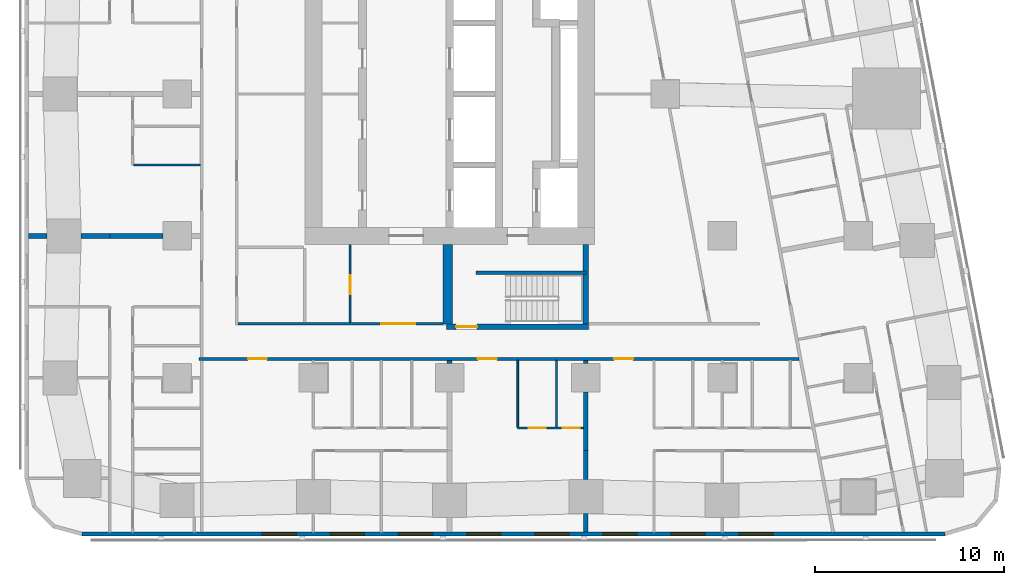
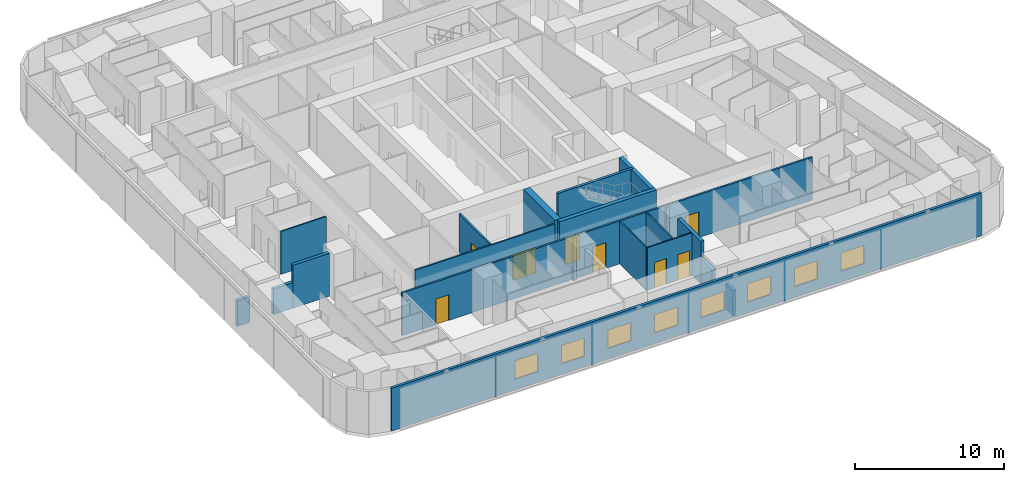
# One storey, part 3 of 15: 20 walls, 8 doors, 8 windows, 16 openings.
"""IFC4 building model written with IfcOpenShell, lengths in metres."""

import ifcopenshell
import ifcopenshell.guid

model = None  # the IFC model being written
_history = None  # IfcOwnerHistory: only IFC2X3 demands one
_inside = {}  # id of a spatial element -> (the spatial element, [elements in it])
_under = {}  # id of a project, library or spatial element -> (it, [spatial elements below it])
_declared = {}  # id of a project -> (the project, [libraries it declares])
_typed = {}  # id of a type object -> (the type object, [elements of that type])
_made_of = {}  # id of a material, layer set ... -> (it, [elements and type objects made of it])


def new_model(schema):
    """Start an empty IFC model of exactly this schema.

    Asked for "IFC4X3", IfcOpenShell would pick the latest addendum, in which some entities
    have other attributes; the version numbers below select the first issue.
    IFC2X3 requires an IfcOwnerHistory on every rooted entity: one is made here for all.
    """
    global model, _history
    if schema == "IFC4X3":
        model = ifcopenshell.file(schema_version=(4, 3, 0, 0))
    else:
        model = ifcopenshell.file(schema=schema)
    _inside.clear()
    _under.clear()
    _declared.clear()
    _typed.clear()
    _made_of.clear()
    _history = None
    if model.schema == "IFC2X3":
        org = make("IfcOrganization", Name="unknown")
        user = make(
            "IfcPersonAndOrganization",
            ThePerson=make("IfcPerson", FamilyName="unknown"),
            TheOrganization=org,
        )
        app = make(
            "IfcApplication",
            ApplicationDeveloper=org,
            Version="unknown",
            ApplicationFullName="unknown",
            ApplicationIdentifier="unknown",
        )
        _history = make(
            "IfcOwnerHistory",
            OwningUser=user,
            OwningApplication=app,
            ChangeAction="ADDED",
            CreationDate=0,
        )
    return model


def make(cls, **values):
    """One entity of the class cls with the attributes given. An attribute that is None is left unset."""
    return model.create_entity(
        cls, **{name: value for name, value in values.items() if value is not None}
    )


def rooted(cls, **values):
    """An entity with a GlobalId (a new one), such as an element, a storey or a relation."""
    return make(cls, GlobalId=ifcopenshell.guid.new(), OwnerHistory=_history, **values)


def si_unit(unit_type, name, prefix=None):
    """IfcSIUnit, for example si_unit("LENGTHUNIT", "METRE", prefix="MILLI")."""
    return make("IfcSIUnit", UnitType=unit_type, Prefix=prefix, Name=name)


def assignment(units):
    """IfcUnitAssignment: the units of a project."""
    return None if units is None else make("IfcUnitAssignment", Units=units)


def point(xyz):
    """IfcCartesianPoint."""
    return None if xyz is None else make("IfcCartesianPoint", Coordinates=xyz)


def direction(xyz):
    """IfcDirection."""
    return None if xyz is None else make("IfcDirection", DirectionRatios=xyz)


def frame(location, z_axis=None, x_axis=None):
    """IfcAxis2Placement3D, a coordinate frame: its origin and axes. An axis left out is left unset."""
    return make(
        "IfcAxis2Placement3D",
        Location=point(location),
        Axis=direction(z_axis),
        RefDirection=direction(x_axis),
    )


def frame_2d(location, x_axis=None):
    """IfcAxis2Placement2D, a coordinate frame in the plane: its origin and x axis."""
    return make(
        "IfcAxis2Placement2D", Location=point(location), RefDirection=direction(x_axis)
    )


def origin():
    """The frame at (0, 0, 0) with its axes left unset."""
    return frame((0.0, 0.0, 0.0))


def place(relative_to, where):
    """IfcLocalPlacement: puts the frame where relative to a parent placement (None: the world)."""
    return make(
        "IfcLocalPlacement", PlacementRelTo=relative_to, RelativePlacement=where
    )


def context(
    kind, dimensions, precision=None, world=None, true_north=None, identifier=None
):
    """IfcGeometricRepresentationContext, for example the 3D "Model" context."""
    return make(
        "IfcGeometricRepresentationContext",
        ContextIdentifier=identifier,
        ContextType=kind,
        CoordinateSpaceDimension=dimensions,
        Precision=precision,
        WorldCoordinateSystem=world,
        TrueNorth=true_north,
    )


def subcontext(parent, identifier, kind, view, scale=None):
    """IfcGeometricRepresentationSubContext, for example "Body" below "Model"."""
    return make(
        "IfcGeometricRepresentationSubContext",
        ContextIdentifier=identifier,
        ContextType=kind,
        ParentContext=parent,
        TargetScale=scale,
        TargetView=view,
    )


def project(units=None, contexts=None):
    """IfcProject with its units and contexts."""
    return rooted(
        "IfcProject",
        Name="project",
        RepresentationContexts=contexts,
        UnitsInContext=assignment(units),
    )


def spatial(cls, under=None, at=None, **own):
    """A site, building, storey or space (cls), placed at a placement, below another one or the project."""
    s = rooted(cls, ObjectPlacement=at, **own)
    if under is not None:
        _under.setdefault(under.id(), (under, []))[1].append(s)
    return s


def profile(cls, at=None, kind="AREA", **sizes):
    """A parametric profile (cls). Its sizes go by their IFC names, for example OverallWidth=200.0."""
    return make(cls, ProfileType=kind, Position=at, **sizes)


def rectangle(**sizes):
    """IfcRectangleProfileDef."""
    return profile("IfcRectangleProfileDef", **sizes)


def extrude(swept, where, along, depth):
    """IfcExtrudedAreaSolid: the profile swept, set in the frame where, extruded along a direction by depth."""
    return make(
        "IfcExtrudedAreaSolid",
        SweptArea=swept,
        Position=where,
        ExtrudedDirection=direction(along),
        Depth=depth,
    )


def shape(context_of_items, identifier, shape_type, items):
    """IfcShapeRepresentation: the items that make up one representation, for example the "Body"."""
    return make(
        "IfcShapeRepresentation",
        ContextOfItems=context_of_items,
        RepresentationIdentifier=identifier,
        RepresentationType=shape_type,
        Items=items,
    )


def material(Name=None, Category=None):
    """IfcMaterial."""
    return make("IfcMaterial", Name=Name, Category=Category)


def layer(
    of_material, thickness, ventilated=None, Name=None, Category=None, Priority=None
):
    """IfcMaterialLayer: one layer of a wall or slab, of a material (None: an air gap)."""
    return make(
        "IfcMaterialLayer",
        Material=of_material,
        LayerThickness=thickness,
        IsVentilated=ventilated,
        Name=Name,
        Category=Category,
        Priority=Priority,
    )


def layer_set(layers, Name=None):
    """IfcMaterialLayerSet."""
    return make("IfcMaterialLayerSet", MaterialLayers=layers, LayerSetName=Name)


def made_of(thing, what):
    """Note that an element or type object is made of a material, layer set ...; save() writes the relation."""
    if what is not None:
        _made_of.setdefault(what.id(), (what, []))[1].append(thing)
    return thing


def type_object(cls, material=None, **own):
    """A type object (cls), such as IfcWallType, which elements share."""
    return made_of(rooted(cls, **own), material)


def element(
    cls,
    number,
    at=None,
    inside=None,
    cuts=None,
    type_object=None,
    material=None,
    context=None,
    identifier="Body",
    shape_type=None,
    held_by="IfcProductDefinitionShape",
    body=None,
    shapes=None,
    **own,
):
    """One element of the class cls, such as IfcWall. Its Tag is "e" and its number.

    at: its placement. inside: the storey or other place that contains it. cuts: it is an
    opening in that element (IfcRelVoidsElement). A single representation is given by context,
    identifier, shape_type and body (its items); several are given by shapes. held_by: the class
    of the entity that holds the representations. save() writes the other relations.
    """
    e = rooted(cls, Tag="e%d" % number, ObjectPlacement=at, **own)
    if body is not None:
        shapes = [shape(context, identifier, shape_type, body)]
    if shapes is not None:
        e.Representation = make(held_by, Representations=shapes)
    if inside is not None:
        _inside.setdefault(inside.id(), (inside, []))[1].append(e)
    if cuts is not None:
        rooted(
            "IfcRelVoidsElement", RelatingBuildingElement=cuts, RelatedOpeningElement=e
        )
    if type_object is not None:
        _typed.setdefault(type_object.id(), (type_object, []))[1].append(e)
    return made_of(e, material)


def fill(opening, filler):
    """IfcRelFillsElement: the door or window that sits in an opening."""
    return rooted(
        "IfcRelFillsElement",
        RelatingOpeningElement=opening,
        RelatedBuildingElement=filler,
    )


def aggregate(whole, parts):
    """IfcRelAggregates: a whole, such as a stair, and the parts it consists of."""
    return rooted("IfcRelAggregates", RelatingObject=whole, RelatedObjects=parts)


def save(model, path):
    """Write the relations noted so far, then the file.

    IfcRelAggregates (storeys below a building ...), IfcRelContainedInSpatialStructure (elements
    in a storey), IfcRelDefinesByType, IfcRelAssociatesMaterial and IfcRelDeclares: one each for
    every whole, place, type object, material and project.
    """
    for whole, parts in _under.values():
        aggregate(whole, parts)
    for where, things in _inside.values():
        rooted(
            "IfcRelContainedInSpatialStructure",
            RelatedElements=things,
            RelatingStructure=where,
        )
    for kind, things in _typed.values():
        rooted("IfcRelDefinesByType", RelatedObjects=things, RelatingType=kind)
    for what, things in _made_of.values():
        rooted("IfcRelAssociatesMaterial", RelatedObjects=things, RelatingMaterial=what)
    for by, libraries in _declared.values():
        rooted("IfcRelDeclares", RelatingContext=by, RelatedDefinitions=libraries)
    model.write(path)


model = new_model("IFC4")

# Units and contexts
model_context = context("Model", 3, precision=1e-05, world=origin(), true_north=direction((0.0, 1.0)))
body_context = subcontext(model_context, "Body", "Model", "MODEL_VIEW")
ifc_project = project(units=[si_unit("LENGTHUNIT", "METRE"), si_unit("AREAUNIT", "SQUARE_METRE"), si_unit("VOLUMEUNIT", "CUBIC_METRE"), si_unit("PLANEANGLEUNIT", "RADIAN"), si_unit("MASSUNIT", "GRAM", prefix="KILO")], contexts=[model_context])

# Site, building, storey
site_placement = place(None, origin())
site = spatial("IfcSite", under=ifc_project, at=site_placement, CompositionType="ELEMENT")
building_placement = place(site_placement, origin())
building = spatial("IfcBuilding", under=site, at=building_placement, Name="Sheger Commons Tower", CompositionType="ELEMENT")
storey_placement = place(building_placement, frame((0.0, 0.0, 180.800048828125)))
storey = spatial("IfcBuildingStorey", under=building, at=storey_placement, Name="L46", CompositionType="ELEMENT", Elevation=180.800048828125)

# Wall, openings, doors
ifc_material_1 = material(Name="Hollow concrete block masonry, skimmed both sides", Category="masonry")
ifc_layer_1 = layer(ifc_material_1, 0.14990234375)
ifc_layer_set_1 = layer_set([ifc_layer_1], Name="CORRIDOR WALL 150")
wall_type_1 = type_object("IfcWallType", Name="CORRIDOR WALL 150", PredefinedType="SOLIDWALL", material=ifc_layer_set_1)
wall_1_placement = place(storey_placement, frame((40.052978515625, 8.5, 0.0), z_axis=(0.0, 0.0, 1.0), x_axis=(-1.0, 0.0, 0.0)))
wall_1 = element("IfcWall", 1, at=wall_1_placement, inside=storey, type_object=wall_type_1, Name="Corridor wall L46", PredefinedType="SOLIDWALL", context=body_context, shape_type="SweptSolid", body=[
    extrude(rectangle(XDim=31.702880859375, YDim=0.14990234375, at=frame_2d((15.8515625, 0.0))), origin(), (0.0, 0.0, 1.0), 3.5),
])
opening_1_placement = place(wall_1_placement, frame((28.10302734375, 0.0, 0.0)))
opening_1 = element("IfcOpeningElement", 2, at=opening_1_placement, cuts=wall_1, Name="Opening D1", PredefinedType="OPENING", context=body_context, shape_type="SweptSolid", body=[
    extrude(rectangle(XDim=1.0, YDim=2.10009765625, at=frame_2d((0.5, 1.050048828125))), frame((0.0, 0.0849609375, 0.0), z_axis=(0.0, -1.0, 0.0), x_axis=(1.0, 0.0, 0.0)), (0.0, 0.0, 1.0), 0.169921875),
])
opening_2_placement = place(wall_1_placement, frame((15.952880859375, 0.0, 0.0)))
opening_2 = element("IfcOpeningElement", 3, at=opening_2_placement, cuts=wall_1, Name="Opening D1", PredefinedType="OPENING", context=body_context, shape_type="SweptSolid", body=[
    extrude(rectangle(XDim=1.0, YDim=2.10009765625, at=frame_2d((0.5, 1.050048828125))), frame((0.0, 0.0849609375, 0.0), z_axis=(0.0, -1.0, 0.0), x_axis=(1.0, 0.0, 0.0)), (0.0, 0.0, 1.0), 0.169921875),
])
opening_3_placement = place(wall_1_placement, frame((8.7529296875, 0.0, 0.0)))
opening_3 = element("IfcOpeningElement", 4, at=opening_3_placement, cuts=wall_1, Name="Opening D1", PredefinedType="OPENING", context=body_context, shape_type="SweptSolid", body=[
    extrude(rectangle(XDim=1.0, YDim=2.10009765625, at=frame_2d((0.5, 1.050048828125))), frame((0.0, 0.0849609375, 0.0), z_axis=(0.0, -1.0, 0.0), x_axis=(1.0, 0.0, 0.0)), (0.0, 0.0, 1.0), 0.169921875),
])
ifc_material_2 = material(Name="Steel door set, fire rated", Category="steel")
door_type_1 = type_object("IfcDoorType", Name="FLAT ENTRANCE DOOR 1000x2100", OperationType="NOTDEFINED", PredefinedType="DOOR", material=ifc_material_2)
door_1_placement = place(opening_1_placement, origin())
door_1 = element("IfcDoor", 5, at=door_1_placement, inside=storey, type_object=door_type_1, Name="Flat entrance door", OperationType="SINGLE_SWING_RIGHT", OverallHeight=2.10009765625, OverallWidth=1.0, PredefinedType="DOOR", context=body_context, shape_type="SweptSolid", body=[
    extrude(rectangle(XDim=1.0, YDim=2.10009765625, at=frame_2d((0.5, 1.050048828125))), frame((0.0, 0.02490234375, 0.0), z_axis=(0.0, -1.0, 0.0), x_axis=(1.0, 0.0, 0.0)), (0.0, 0.0, 1.0), 0.050048828125),
])
fill(opening_1, door_1)
door_2_placement = place(opening_2_placement, origin())
door_2 = element("IfcDoor", 6, at=door_2_placement, inside=storey, type_object=door_type_1, Name="Flat entrance door", OperationType="SINGLE_SWING_LEFT", OverallHeight=2.10009765625, OverallWidth=1.0, PredefinedType="DOOR", context=body_context, shape_type="SweptSolid", body=[
    extrude(rectangle(XDim=1.0, YDim=2.10009765625, at=frame_2d((0.5, 1.050048828125))), frame((0.0, 0.02490234375, 0.0), z_axis=(0.0, -1.0, 0.0), x_axis=(1.0, 0.0, 0.0)), (0.0, 0.0, 1.0), 0.050048828125),
])
fill(opening_2, door_2)
door_3_placement = place(opening_3_placement, origin())
door_3 = element("IfcDoor", 7, at=door_3_placement, inside=storey, type_object=door_type_1, Name="Flat entrance door", OperationType="SINGLE_SWING_LEFT", OverallHeight=2.10009765625, OverallWidth=1.0, PredefinedType="DOOR", context=body_context, shape_type="SweptSolid", body=[
    extrude(rectangle(XDim=1.0, YDim=2.10009765625, at=frame_2d((0.5, 1.050048828125))), frame((0.0, 0.02490234375, 0.0), z_axis=(0.0, -1.0, 0.0), x_axis=(1.0, 0.0, 0.0)), (0.0, 0.0, 1.0), 0.050048828125),
])
fill(opening_3, door_3)

# Walls
ifc_material_3 = material(Name="Dense concrete block masonry, plastered both sides (separating wall between flats)", Category="masonry")
ifc_layer_2 = layer(ifc_material_3, 0.25)
ifc_layer_set_2 = layer_set([ifc_layer_2], Name="DEMISING WALL 250")
wall_type_2 = type_object("IfcWallType", Name="DEMISING WALL 250", PredefinedType="SOLIDWALL", material=ifc_layer_set_2)
wall_2_placement = place(storey_placement, frame((-0.64990234375, 15.0, 0.0), z_axis=(0.0, 0.0, 1.0), x_axis=(1.0, 0.0, 0.0)))
element("IfcWall", 8, at=wall_2_placement, inside=storey, type_object=wall_type_2, Name="Demising wall L46", PredefinedType="SOLIDWALL", context=body_context, shape_type="SweptSolid", body=[
    extrude(rectangle(XDim=0.973876953125, YDim=0.25, at=frame_2d((0.48681640625, 0.0))), origin(), (0.0, 0.0, 1.0), 2.099853515625),
])
wall_3_placement = place(storey_placement, frame((2.1259765625, 15.0, 0.0), z_axis=(0.0, 0.0, 1.0), x_axis=(1.0, 0.0, 0.0)))
element("IfcWall", 9, at=wall_3_placement, inside=storey, type_object=wall_type_2, Name="Demising wall L46", PredefinedType="SOLIDWALL", context=body_context, shape_type="SweptSolid", body=[
    extrude(rectangle(XDim=1.52392578125, YDim=0.25, at=frame_2d((0.761962890625, 0.0))), origin(), (0.0, 0.0, 1.0), 2.099853515625),
])
wall_4_placement = place(storey_placement, frame((3.64990234375, 15.0, 0.0), z_axis=(0.0, 0.0, 1.0), x_axis=(1.0, 0.0, 0.0)))
element("IfcWall", 10, at=wall_4_placement, inside=storey, type_object=wall_type_2, Name="Demising wall L46", PredefinedType="SOLIDWALL", context=body_context, shape_type="SweptSolid", body=[
    extrude(rectangle(XDim=2.799072265625, YDim=0.25, at=frame_2d((1.3994140625, 0.0))), origin(), (0.0, 0.0, 1.0), 3.5),
])
wall_5_placement = place(storey_placement, frame((21.60009765625, 8.2509765625, 0.0), z_axis=(0.0, 0.0, 1.0), x_axis=(0.0, 1.0, 0.0)))
element("IfcWall", 11, at=wall_5_placement, inside=storey, type_object=wall_type_2, Name="Demising wall L46", PredefinedType="SOLIDWALL", context=body_context, shape_type="SweptSolid", body=[
    extrude(rectangle(XDim=0.174072265625, YDim=0.25, at=frame_2d((0.0869140625, 0.0))), origin(), (0.0, 0.0, 1.0), 3.5),
])
wall_6_placement = place(storey_placement, frame((28.800048828125, -0.64990234375, 0.0), z_axis=(0.0, 0.0, 1.0), x_axis=(0.0, 1.0, 0.0)))
element("IfcWall", 12, at=wall_6_placement, inside=storey, type_object=wall_type_2, Name="Demising wall L46", PredefinedType="SOLIDWALL", context=body_context, shape_type="SweptSolid", body=[
    extrude(rectangle(XDim=0.973876953125, YDim=0.25, at=frame_2d((0.48681640625, 0.0))), origin(), (0.0, 0.0, 1.0), 2.099853515625),
])
wall_7_placement = place(storey_placement, frame((28.800048828125, 2.1259765625, 0.0), z_axis=(0.0, 0.0, 1.0), x_axis=(0.0, 1.0, 0.0)))
element("IfcWall", 13, at=wall_7_placement, inside=storey, type_object=wall_type_2, Name="Demising wall L46", PredefinedType="SOLIDWALL", context=body_context, shape_type="SweptSolid", body=[
    extrude(rectangle(XDim=1.52392578125, YDim=0.25, at=frame_2d((0.761962890625, 0.0))), origin(), (0.0, 0.0, 1.0), 2.099853515625),
])
wall_8_placement = place(storey_placement, frame((28.800048828125, 3.64990234375, 0.0), z_axis=(0.0, 0.0, 1.0), x_axis=(0.0, 1.0, 0.0)))
element("IfcWall", 14, at=wall_8_placement, inside=storey, type_object=wall_type_2, Name="Demising wall L46", PredefinedType="SOLIDWALL", context=body_context, shape_type="SweptSolid", body=[
    extrude(rectangle(XDim=3.09912109375, YDim=0.25, at=frame_2d((1.549560546875, 0.0))), origin(), (0.0, 0.0, 1.0), 3.5),
])
wall_9_placement = place(storey_placement, frame((28.800048828125, 8.2509765625, 0.0), z_axis=(0.0, 0.0, 1.0), x_axis=(0.0, 1.0, 0.0)))
element("IfcWall", 15, at=wall_9_placement, inside=storey, type_object=wall_type_2, Name="Demising wall L46", PredefinedType="SOLIDWALL", context=body_context, shape_type="SweptSolid", body=[
    extrude(rectangle(XDim=0.174072265625, YDim=0.25, at=frame_2d((0.0869140625, 0.0))), origin(), (0.0, 0.0, 1.0), 3.5),
])

# Wall, openings, windows
ifc_material_4 = material(Name="Rendered concrete block masonry, dark grey", Category="masonry")
ifc_layer_3 = layer(ifc_material_4, 0.199951171875)
ifc_layer_set_3 = layer_set([ifc_layer_3], Name="FACADE WALL 200")
wall_type_3 = type_object("IfcWallType", Name="FACADE WALL 200", PredefinedType="SOLIDWALL", material=ifc_layer_set_3)
wall_10_placement = place(storey_placement, frame((2.1630859375, -0.75, 0.0), z_axis=(0.0, 0.0, 1.0), x_axis=(1.0, 0.0, 0.0)))
wall_10 = element("IfcWall", 16, at=wall_10_placement, inside=storey, type_object=wall_type_3, Name="Facade wall L46", PredefinedType="SOLIDWALL", context=body_context, shape_type="SweptSolid", body=[
    extrude(rectangle(XDim=45.6279296875, YDim=0.199951171875, at=frame_2d((22.81396484375, 0.0))), origin(), (0.0, 0.0, 1.0), 3.5),
])
opening_4_placement = place(wall_10_placement, frame((9.537109375, 0.0, 0.89990234375)))
opening_4 = element("IfcOpeningElement", 17, at=opening_4_placement, cuts=wall_10, Name="Opening W2", PredefinedType="OPENING", context=body_context, shape_type="SweptSolid", body=[
    extrude(rectangle(XDim=1.800048828125, YDim=1.5, at=frame_2d((0.89990234375, 0.75))), frame((0.0, 0.10986328125, 0.0), z_axis=(0.0, -1.0, 0.0), x_axis=(1.0, 0.0, 0.0)), (0.0, 0.0, 1.0), 0.219970703125),
])
opening_5_placement = place(wall_10_placement, frame((13.136962890625, 0.0, 0.89990234375)))
opening_5 = element("IfcOpeningElement", 18, at=opening_5_placement, cuts=wall_10, Name="Opening W2", PredefinedType="OPENING", context=body_context, shape_type="SweptSolid", body=[
    extrude(rectangle(XDim=1.800048828125, YDim=1.5, at=frame_2d((0.89990234375, 0.75))), frame((0.0, 0.10986328125, 0.0), z_axis=(0.0, -1.0, 0.0), x_axis=(1.0, 0.0, 0.0)), (0.0, 0.0, 1.0), 0.219970703125),
])
opening_6_placement = place(wall_10_placement, frame((16.737060546875, 0.0, 0.89990234375)))
opening_6 = element("IfcOpeningElement", 19, at=opening_6_placement, cuts=wall_10, Name="Opening W2", PredefinedType="OPENING", context=body_context, shape_type="SweptSolid", body=[
    extrude(rectangle(XDim=1.800048828125, YDim=1.5, at=frame_2d((0.89990234375, 0.75))), frame((0.0, 0.10986328125, 0.0), z_axis=(0.0, -1.0, 0.0), x_axis=(1.0, 0.0, 0.0)), (0.0, 0.0, 1.0), 0.219970703125),
])
opening_7_placement = place(wall_10_placement, frame((20.3369140625, 0.0, 0.89990234375)))
opening_7 = element("IfcOpeningElement", 20, at=opening_7_placement, cuts=wall_10, Name="Opening W2", PredefinedType="OPENING", context=body_context, shape_type="SweptSolid", body=[
    extrude(rectangle(XDim=1.800048828125, YDim=1.5, at=frame_2d((0.89990234375, 0.75))), frame((0.0, 0.10986328125, 0.0), z_axis=(0.0, -1.0, 0.0), x_axis=(1.0, 0.0, 0.0)), (0.0, 0.0, 1.0), 0.219970703125),
])
opening_8_placement = place(wall_10_placement, frame((23.93701171875, 0.0, 0.89990234375)))
opening_8 = element("IfcOpeningElement", 21, at=opening_8_placement, cuts=wall_10, Name="Opening W2", PredefinedType="OPENING", context=body_context, shape_type="SweptSolid", body=[
    extrude(rectangle(XDim=1.800048828125, YDim=1.5, at=frame_2d((0.89990234375, 0.75))), frame((0.0, 0.10986328125, 0.0), z_axis=(0.0, -1.0, 0.0), x_axis=(1.0, 0.0, 0.0)), (0.0, 0.0, 1.0), 0.219970703125),
])
opening_9_placement = place(wall_10_placement, frame((27.537109375, 0.0, 0.89990234375)))
opening_9 = element("IfcOpeningElement", 22, at=opening_9_placement, cuts=wall_10, Name="Opening W2", PredefinedType="OPENING", context=body_context, shape_type="SweptSolid", body=[
    extrude(rectangle(XDim=1.800048828125, YDim=1.5, at=frame_2d((0.89990234375, 0.75))), frame((0.0, 0.10986328125, 0.0), z_axis=(0.0, -1.0, 0.0), x_axis=(1.0, 0.0, 0.0)), (0.0, 0.0, 1.0), 0.219970703125),
])
opening_10_placement = place(wall_10_placement, frame((31.136962890625, 0.0, 0.89990234375)))
opening_10 = element("IfcOpeningElement", 23, at=opening_10_placement, cuts=wall_10, Name="Opening W2", PredefinedType="OPENING", context=body_context, shape_type="SweptSolid", body=[
    extrude(rectangle(XDim=1.800048828125, YDim=1.5, at=frame_2d((0.89990234375, 0.75))), frame((0.0, 0.10986328125, 0.0), z_axis=(0.0, -1.0, 0.0), x_axis=(1.0, 0.0, 0.0)), (0.0, 0.0, 1.0), 0.219970703125),
])
opening_11_placement = place(wall_10_placement, frame((34.737060546875, 0.0, 0.89990234375)))
opening_11 = element("IfcOpeningElement", 24, at=opening_11_placement, cuts=wall_10, Name="Opening W2", PredefinedType="OPENING", context=body_context, shape_type="SweptSolid", body=[
    extrude(rectangle(XDim=1.800048828125, YDim=1.5, at=frame_2d((0.89990234375, 0.75))), frame((0.0, 0.10986328125, 0.0), z_axis=(0.0, -1.0, 0.0), x_axis=(1.0, 0.0, 0.0)), (0.0, 0.0, 1.0), 0.219970703125),
])
ifc_material_5 = material(Name="Black aluminium frame, dark tinted double glazing", Category="aluminium")
window_type = type_object("IfcWindowType", Name="WINDOW W2 1800x1500", PartitioningType="SINGLE_PANEL", PredefinedType="WINDOW", material=ifc_material_5)
window_1_placement = place(opening_4_placement, origin())
window_1 = element("IfcWindow", 25, at=window_1_placement, inside=storey, type_object=window_type, Name="Window W2 1800X1500", OverallHeight=1.5, OverallWidth=1.800048828125, PartitioningType="SINGLE_PANEL", PredefinedType="WINDOW", context=body_context, shape_type="SweptSolid", body=[
    extrude(rectangle(XDim=1.800048828125, YDim=1.5, at=frame_2d((0.89990234375, 0.75))), frame((0.0, 0.030029296875, 0.0), z_axis=(0.0, -1.0, 0.0), x_axis=(1.0, 0.0, 0.0)), (0.0, 0.0, 1.0), 0.06005859375),
])
fill(opening_4, window_1)
window_2_placement = place(opening_5_placement, origin())
window_2 = element("IfcWindow", 26, at=window_2_placement, inside=storey, type_object=window_type, Name="Window W2 1800X1500", OverallHeight=1.5, OverallWidth=1.800048828125, PartitioningType="SINGLE_PANEL", PredefinedType="WINDOW", context=body_context, shape_type="SweptSolid", body=[
    extrude(rectangle(XDim=1.800048828125, YDim=1.5, at=frame_2d((0.89990234375, 0.75))), frame((0.0, 0.030029296875, 0.0), z_axis=(0.0, -1.0, 0.0), x_axis=(1.0, 0.0, 0.0)), (0.0, 0.0, 1.0), 0.06005859375),
])
fill(opening_5, window_2)
window_3_placement = place(opening_6_placement, origin())
window_3 = element("IfcWindow", 27, at=window_3_placement, inside=storey, type_object=window_type, Name="Window W2 1800X1500", OverallHeight=1.5, OverallWidth=1.800048828125, PartitioningType="SINGLE_PANEL", PredefinedType="WINDOW", context=body_context, shape_type="SweptSolid", body=[
    extrude(rectangle(XDim=1.800048828125, YDim=1.5, at=frame_2d((0.89990234375, 0.75))), frame((0.0, 0.030029296875, 0.0), z_axis=(0.0, -1.0, 0.0), x_axis=(1.0, 0.0, 0.0)), (0.0, 0.0, 1.0), 0.06005859375),
])
fill(opening_6, window_3)
window_4_placement = place(opening_7_placement, origin())
window_4 = element("IfcWindow", 28, at=window_4_placement, inside=storey, type_object=window_type, Name="Window W2 1800X1500", OverallHeight=1.5, OverallWidth=1.800048828125, PartitioningType="SINGLE_PANEL", PredefinedType="WINDOW", context=body_context, shape_type="SweptSolid", body=[
    extrude(rectangle(XDim=1.800048828125, YDim=1.5, at=frame_2d((0.89990234375, 0.75))), frame((0.0, 0.030029296875, 0.0), z_axis=(0.0, -1.0, 0.0), x_axis=(1.0, 0.0, 0.0)), (0.0, 0.0, 1.0), 0.06005859375),
])
fill(opening_7, window_4)
window_5_placement = place(opening_8_placement, origin())
window_5 = element("IfcWindow", 29, at=window_5_placement, inside=storey, type_object=window_type, Name="Window W2 1800X1500", OverallHeight=1.5, OverallWidth=1.800048828125, PartitioningType="SINGLE_PANEL", PredefinedType="WINDOW", context=body_context, shape_type="SweptSolid", body=[
    extrude(rectangle(XDim=1.800048828125, YDim=1.5, at=frame_2d((0.89990234375, 0.75))), frame((0.0, 0.030029296875, 0.0), z_axis=(0.0, -1.0, 0.0), x_axis=(1.0, 0.0, 0.0)), (0.0, 0.0, 1.0), 0.06005859375),
])
fill(opening_8, window_5)
window_6_placement = place(opening_9_placement, origin())
window_6 = element("IfcWindow", 30, at=window_6_placement, inside=storey, type_object=window_type, Name="Window W2 1800X1500", OverallHeight=1.5, OverallWidth=1.800048828125, PartitioningType="SINGLE_PANEL", PredefinedType="WINDOW", context=body_context, shape_type="SweptSolid", body=[
    extrude(rectangle(XDim=1.800048828125, YDim=1.5, at=frame_2d((0.89990234375, 0.75))), frame((0.0, 0.030029296875, 0.0), z_axis=(0.0, -1.0, 0.0), x_axis=(1.0, 0.0, 0.0)), (0.0, 0.0, 1.0), 0.06005859375),
])
fill(opening_9, window_6)
window_7_placement = place(opening_10_placement, origin())
window_7 = element("IfcWindow", 31, at=window_7_placement, inside=storey, type_object=window_type, Name="Window W2 1800X1500", OverallHeight=1.5, OverallWidth=1.800048828125, PartitioningType="SINGLE_PANEL", PredefinedType="WINDOW", context=body_context, shape_type="SweptSolid", body=[
    extrude(rectangle(XDim=1.800048828125, YDim=1.5, at=frame_2d((0.89990234375, 0.75))), frame((0.0, 0.030029296875, 0.0), z_axis=(0.0, -1.0, 0.0), x_axis=(1.0, 0.0, 0.0)), (0.0, 0.0, 1.0), 0.06005859375),
])
fill(opening_10, window_7)
window_8_placement = place(opening_11_placement, origin())
window_8 = element("IfcWindow", 32, at=window_8_placement, inside=storey, type_object=window_type, Name="Window W2 1800X1500", OverallHeight=1.5, OverallWidth=1.800048828125, PartitioningType="SINGLE_PANEL", PredefinedType="WINDOW", context=body_context, shape_type="SweptSolid", body=[
    extrude(rectangle(XDim=1.800048828125, YDim=1.5, at=frame_2d((0.89990234375, 0.75))), frame((0.0, 0.030029296875, 0.0), z_axis=(0.0, -1.0, 0.0), x_axis=(1.0, 0.0, 0.0)), (0.0, 0.0, 1.0), 0.06005859375),
])
fill(opening_11, window_8)

# Wall
ifc_material_6 = material(Name="Gypsum board on steel studs", Category="steel")
ifc_layer_4 = layer(ifc_material_6, 0.10009765625)
ifc_layer_set_4 = layer_set([ifc_layer_4], Name="PARTITION 100")
wall_type_4 = type_object("IfcWallType", Name="PARTITION 100", PredefinedType="PARTITIONING", material=ifc_layer_set_4)
wall_11_placement = place(storey_placement, frame((4.89990234375, 18.75, 0.0), z_axis=(0.0, 0.0, 1.0), x_axis=(1.0, 0.0, 0.0)))
element("IfcWall", 33, at=wall_11_placement, inside=storey, type_object=wall_type_4, Name="Partition L46", PredefinedType="PARTITIONING", context=body_context, shape_type="SweptSolid", body=[
    extrude(rectangle(XDim=3.525146484375, YDim=0.10009765625, at=frame_2d((1.7626953125, 0.0))), origin(), (0.0, 0.0, 1.0), 3.5),
])

# Wall, openings, doors
wall_12_placement = place(storey_placement, frame((28.675048828125, 4.85009765625, 0.0), z_axis=(0.0, 0.0, 1.0), x_axis=(-1.0, 0.0, 0.0)))
wall_12 = element("IfcWall", 34, at=wall_12_placement, inside=storey, type_object=wall_type_4, Name="Partition L46", PredefinedType="PARTITIONING", context=body_context, shape_type="SweptSolid", body=[
    extrude(rectangle(XDim=3.47509765625, YDim=0.10009765625, at=frame_2d((1.737548828125, 0.0))), origin(), (0.0, 0.0, 1.0), 3.5),
])
opening_12_placement = place(wall_12_placement, frame((2.0, 0.0, 0.0)))
opening_12 = element("IfcOpeningElement", 35, at=opening_12_placement, cuts=wall_12, Name="Opening D2", PredefinedType="OPENING", context=body_context, shape_type="SweptSolid", body=[
    extrude(rectangle(XDim=0.89990234375, YDim=2.10009765625, at=frame_2d((0.449951171875, 1.050048828125))), frame((0.0, 0.06005859375, 0.0), z_axis=(0.0, -1.0, 0.0), x_axis=(1.0, 0.0, 0.0)), (0.0, 0.0, 1.0), 0.1201171875),
])
opening_13_placement = place(wall_12_placement, frame((0.199951171875, 0.0, 0.0)))
opening_13 = element("IfcOpeningElement", 36, at=opening_13_placement, cuts=wall_12, Name="Opening D2", PredefinedType="OPENING", context=body_context, shape_type="SweptSolid", body=[
    extrude(rectangle(XDim=0.89990234375, YDim=2.10009765625, at=frame_2d((0.449951171875, 1.050048828125))), frame((0.0, 0.06005859375, 0.0), z_axis=(0.0, -1.0, 0.0), x_axis=(1.0, 0.0, 0.0)), (0.0, 0.0, 1.0), 0.1201171875),
])
ifc_material_7 = material(Name="Timber door set", Category="wood")
door_type_2 = type_object("IfcDoorType", Name="INTERNAL DOOR 900x2100", OperationType="NOTDEFINED", PredefinedType="DOOR", material=ifc_material_7)
door_4_placement = place(opening_12_placement, origin())
door_4 = element("IfcDoor", 37, at=door_4_placement, inside=storey, type_object=door_type_2, Name="Bathroom door", OperationType="SINGLE_SWING_LEFT", OverallHeight=2.10009765625, OverallWidth=0.89990234375, PredefinedType="DOOR", context=body_context, shape_type="SweptSolid", body=[
    extrude(rectangle(XDim=0.89990234375, YDim=2.10009765625, at=frame_2d((0.449951171875, 1.050048828125))), frame((0.0, 0.02490234375, 0.0), z_axis=(0.0, -1.0, 0.0), x_axis=(1.0, 0.0, 0.0)), (0.0, 0.0, 1.0), 0.050048828125),
])
fill(opening_12, door_4)
door_5_placement = place(opening_13_placement, origin())
door_5 = element("IfcDoor", 38, at=door_5_placement, inside=storey, type_object=door_type_2, Name="Store door", OperationType="SINGLE_SWING_RIGHT", OverallHeight=2.10009765625, OverallWidth=0.89990234375, PredefinedType="DOOR", context=body_context, shape_type="SweptSolid", body=[
    extrude(rectangle(XDim=0.89990234375, YDim=2.10009765625, at=frame_2d((0.449951171875, 1.050048828125))), frame((0.0, 0.02490234375, 0.0), z_axis=(0.0, -1.0, 0.0), x_axis=(1.0, 0.0, 0.0)), (0.0, 0.0, 1.0), 0.050048828125),
])
fill(opening_13, door_5)

# Walls
for number, where, z_axis, x_axis, name in (
    (39, (25.199951171875, 4.89990234375, 0.0), (0.0, 0.0, 1.0), (0.0, 1.0, 0.0), "Partition L46"),
    (40, (27.25, 4.89990234375, 0.0), (0.0, 0.0, 1.0), (0.0, 1.0, 0.0), "Partition L46"),
):
    element("IfcWall", number, at=place(storey_placement, frame(where, z_axis=z_axis, x_axis=x_axis)), inside=storey, type_object=wall_type_4, Name=name, PredefinedType="PARTITIONING", context=body_context, shape_type="SweptSolid", body=[
        extrude(rectangle(XDim=3.525146484375, YDim=0.10009765625, at=frame_2d((1.7626953125, 0.0))), origin(), (0.0, 0.0, 1.0), 3.5),
    ])

# Wall, opening, door
ifc_material_8 = material(Name="Gypsum board on steel studs, two layers each side, fire rated", Category="steel")
ifc_layer_5 = layer(ifc_material_8, 0.125)
ifc_layer_set_5 = layer_set([ifc_layer_5], Name="SERVICE WALL 125")
wall_type_5 = type_object("IfcWallType", Name="SERVICE WALL 125", PredefinedType="PARTITIONING", material=ifc_layer_set_5)
wall_13_placement = place(storey_placement, frame((10.4130859375, 10.35009765625, 0.0), z_axis=(0.0, 0.0, 1.0), x_axis=(1.0, 0.0, 0.0)))
wall_13 = element("IfcWall", 41, at=wall_13_placement, inside=storey, type_object=wall_type_5, Name="Service room wall L46", PredefinedType="PARTITIONING", context=body_context, shape_type="SweptSolid", body=[
    extrude(rectangle(XDim=10.8369140625, YDim=0.125, at=frame_2d((5.41845703125, 0.0))), origin(), (0.0, 0.0, 1.0), 3.5),
])
opening_14_placement = place(wall_13_placement, frame((7.58203125, 0.0, 0.0)))
opening_14 = element("IfcOpeningElement", 42, at=opening_14_placement, cuts=wall_13, Name="Opening D6", PredefinedType="OPENING", context=body_context, shape_type="SweptSolid", body=[
    extrude(rectangle(XDim=1.800048828125, YDim=2.10009765625, at=frame_2d((0.89990234375, 1.050048828125))), frame((0.0, 0.072509765625, 0.0), z_axis=(0.0, -1.0, 0.0), x_axis=(1.0, 0.0, 0.0)), (0.0, 0.0, 1.0), 0.14501953125),
])
ifc_material_9 = material(Name="Steel door set, fire rated", Category="steel")
door_type_3 = type_object("IfcDoorType", Name="LOBBY DOUBLE DOOR 1800x2100", OperationType="DOUBLE_DOOR_SINGLE_SWING", PredefinedType="DOOR", material=ifc_material_9)
door_6_placement = place(opening_14_placement, origin())
door_6 = element("IfcDoor", 43, at=door_6_placement, inside=storey, type_object=door_type_3, Name="Lift lobby south door", OperationType="DOUBLE_DOOR_SINGLE_SWING", OverallHeight=2.10009765625, OverallWidth=1.800048828125, PredefinedType="DOOR", context=body_context, shape_type="SweptSolid", body=[
    extrude(rectangle(XDim=1.800048828125, YDim=2.10009765625, at=frame_2d((0.89990234375, 1.050048828125))), frame((0.0, 0.02490234375, 0.0), z_axis=(0.0, -1.0, 0.0), x_axis=(1.0, 0.0, 0.0)), (0.0, 0.0, 1.0), 0.050048828125),
])
fill(opening_14, door_6)

wall_14_placement = place(storey_placement, frame((16.340087890625, 10.4130859375, 0.0), z_axis=(0.0, 0.0, 1.0), x_axis=(0.0, 1.0, 0.0)))
wall_14 = element("IfcWall", 44, at=wall_14_placement, inside=storey, type_object=wall_type_5, Name="Service room wall L46", PredefinedType="PARTITIONING", context=body_context, shape_type="SweptSolid", body=[
    extrude(rectangle(XDim=4.136962890625, YDim=0.125, at=frame_2d((2.068359375, 0.0))), origin(), (0.0, 0.0, 1.0), 3.5),
])
opening_15_placement = place(wall_14_placement, frame((1.511962890625, 0.0, 0.0)))
opening_15 = element("IfcOpeningElement", 45, at=opening_15_placement, cuts=wall_14, Name="Opening D4", PredefinedType="OPENING", context=body_context, shape_type="SweptSolid", body=[
    extrude(rectangle(XDim=1.0, YDim=2.10009765625, at=frame_2d((0.5, 1.050048828125))), frame((0.0, 0.072509765625, 0.0), z_axis=(0.0, -1.0, 0.0), x_axis=(1.0, 0.0, 0.0)), (0.0, 0.0, 1.0), 0.14501953125),
])
ifc_material_10 = material(Name="Steel door set, fire rated", Category="steel")
door_type_4 = type_object("IfcDoorType", Name="SERVICE DOOR 1000x2100", OperationType="NOTDEFINED", PredefinedType="DOOR", material=ifc_material_10)
door_7_placement = place(opening_15_placement, origin())
door_7 = element("IfcDoor", 46, at=door_7_placement, inside=storey, type_object=door_type_4, Name="Electrical room door", OperationType="SINGLE_SWING_LEFT", OverallHeight=2.10009765625, OverallWidth=1.0, PredefinedType="DOOR", context=body_context, shape_type="SweptSolid", body=[
    extrude(rectangle(XDim=1.0, YDim=2.10009765625, at=frame_2d((0.5, 1.050048828125))), frame((0.0, 0.02490234375, 0.0), z_axis=(0.0, -1.0, 0.0), x_axis=(1.0, 0.0, 0.0)), (0.0, 0.0, 1.0), 0.050048828125),
])
fill(opening_15, door_7)

ifc_material_11 = material(Name="Concrete C50/60", Category="concrete")
ifc_layer_6 = layer(ifc_material_11, 0.300048828125)
ifc_layer_set_6 = layer_set([ifc_layer_6], Name="STAIR CORE WALL 300")
wall_type_6 = type_object("IfcWallType", Name="STAIR CORE WALL 300", PredefinedType="SHEAR", material=ifc_layer_set_6)
wall_15_placement = place(storey_placement, frame((21.449951171875, 10.199951171875, 0.0), z_axis=(0.0, 0.0, 1.0), x_axis=(1.0, 0.0, 0.0)))
wall_15 = element("IfcWall", 47, at=wall_15_placement, inside=storey, type_object=wall_type_6, Name="STW-L46-S1S", PredefinedType="SHEAR", context=body_context, shape_type="SweptSolid", body=[
    extrude(rectangle(XDim=7.5, YDim=0.300048828125, at=frame_2d((3.75, 0.0))), origin(), (0.0, 0.0, 1.0), 3.75),
])
opening_16_placement = place(wall_15_placement, frame((0.5, 0.0, 0.0)))
opening_16 = element("IfcOpeningElement", 48, at=opening_16_placement, cuts=wall_15, Name="Opening D5", PredefinedType="OPENING", context=body_context, shape_type="SweptSolid", body=[
    extrude(rectangle(XDim=1.10009765625, YDim=2.10009765625, at=frame_2d((0.550048828125, 1.050048828125))), frame((0.0, 0.159912109375, 0.0), z_axis=(0.0, -1.0, 0.0), x_axis=(1.0, 0.0, 0.0)), (0.0, 0.0, 1.0), 0.320068359375),
])
ifc_material_12 = material(Name="Steel door set, fire rated", Category="steel")
door_type_5 = type_object("IfcDoorType", Name="STAIR DOOR 1100x2100", OperationType="NOTDEFINED", PredefinedType="DOOR", material=ifc_material_12)
door_8_placement = place(opening_16_placement, origin())
door_8 = element("IfcDoor", 49, at=door_8_placement, inside=storey, type_object=door_type_5, Name="Stair S1 door", OperationType="SINGLE_SWING_LEFT", OverallHeight=2.10009765625, OverallWidth=1.10009765625, PredefinedType="DOOR", context=body_context, shape_type="SweptSolid", body=[
    extrude(rectangle(XDim=1.10009765625, YDim=2.10009765625, at=frame_2d((0.550048828125, 1.050048828125))), frame((0.0, 0.02490234375, 0.0), z_axis=(0.0, -1.0, 0.0), x_axis=(1.0, 0.0, 0.0)), (0.0, 0.0, 1.0), 0.050048828125),
])
fill(opening_16, door_8)

# Walls
wall_16_placement = place(storey_placement, frame((28.800048828125, 10.35009765625, 0.0), z_axis=(0.0, 0.0, 1.0), x_axis=(0.0, 1.0, 0.0)))
element("IfcWall", 50, at=wall_16_placement, inside=storey, type_object=wall_type_6, Name="STW-L46-S1E", PredefinedType="SHEAR", context=body_context, shape_type="SweptSolid", body=[
    extrude(rectangle(XDim=4.199951171875, YDim=0.300048828125, at=frame_2d((2.10009765625, 0.0))), origin(), (0.0, 0.0, 1.0), 3.75),
])
ifc_material_13 = material(Name="Concrete C50/60", Category="concrete")
ifc_layer_7 = layer(ifc_material_13, 0.5)
ifc_layer_set_7 = layer_set([ifc_layer_7], Name="STAIR CORE WALL 500")
wall_type_7 = type_object("IfcWallType", Name="STAIR CORE WALL 500", PredefinedType="SHEAR", material=ifc_layer_set_7)
wall_17_placement = place(storey_placement, frame((21.5, 10.35009765625, 0.0), z_axis=(0.0, 0.0, 1.0), x_axis=(0.0, 1.0, 0.0)))
element("IfcWall", 51, at=wall_17_placement, inside=storey, type_object=wall_type_7, Name="STW-L46-S1W", PredefinedType="SHEAR", context=body_context, shape_type="SweptSolid", body=[
    extrude(rectangle(XDim=4.199951171875, YDim=0.5, at=frame_2d((2.10009765625, 0.0))), origin(), (0.0, 0.0, 1.0), 3.75),
])
ifc_material_14 = material(Name="Concrete C50/60", Category="concrete")
ifc_layer_8 = layer(ifc_material_14, 0.199951171875)
ifc_layer_set_8 = layer_set([ifc_layer_8], Name="STAIR SPINE WALL 200")
wall_type_8 = type_object("IfcWallType", Name="STAIR SPINE WALL 200", PredefinedType="SHEAR", material=ifc_layer_set_8)
wall_18_placement = place(storey_placement, frame((23.0, 13.050048828125, 0.0), z_axis=(0.0, 0.0, 1.0), x_axis=(1.0, 0.0, 0.0)))
element("IfcWall", 52, at=wall_18_placement, inside=storey, type_object=wall_type_8, Name="Stair spine wall L46", PredefinedType="SHEAR", context=body_context, shape_type="SweptSolid", body=[
    extrude(rectangle(XDim=5.800048828125, YDim=0.199951171875, at=frame_2d((2.89990234375, 0.0))), origin(), (0.0, 0.0, 1.0), 3.75),
])

save(model, "model.ifc")
